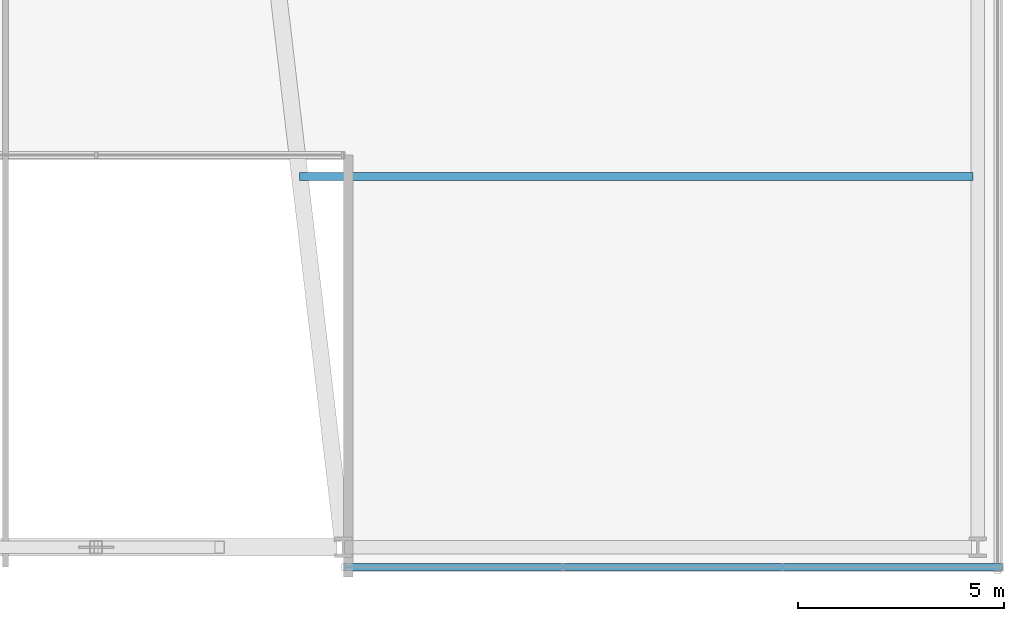
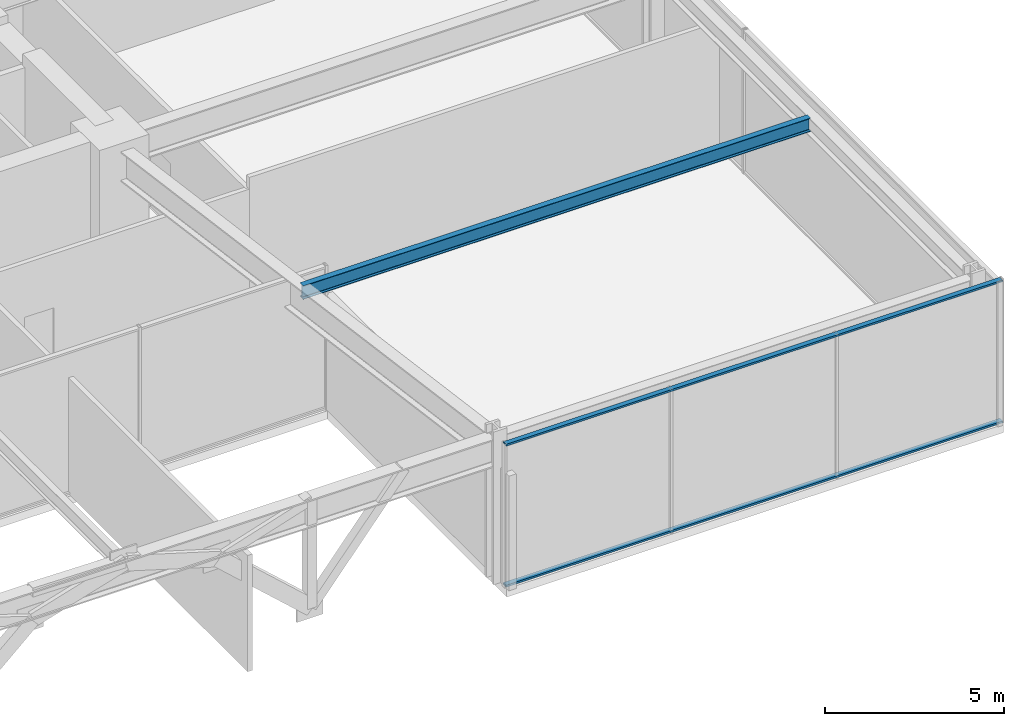
# One storey, part 21 of 49: 2 members, 1 beam, 1 element without a shape of its own.
"""IFC4 building model written with IfcOpenShell, lengths in metres."""

import ifcopenshell
import ifcopenshell.guid

model = None  # the IFC model being written
_history = None  # IfcOwnerHistory: only IFC2X3 demands one
_inside = {}  # id of a spatial element -> (the spatial element, [elements in it])
_under = {}  # id of a project, library or spatial element -> (it, [spatial elements below it])
_declared = {}  # id of a project -> (the project, [libraries it declares])
_typed = {}  # id of a type object -> (the type object, [elements of that type])
_made_of = {}  # id of a material, layer set ... -> (it, [elements and type objects made of it])


def new_model(schema):
    """Start an empty IFC model of exactly this schema.

    Asked for "IFC4X3", IfcOpenShell would pick the latest addendum, in which some entities
    have other attributes; the version numbers below select the first issue.
    IFC2X3 requires an IfcOwnerHistory on every rooted entity: one is made here for all.
    """
    global model, _history
    if schema == "IFC4X3":
        model = ifcopenshell.file(schema_version=(4, 3, 0, 0))
    else:
        model = ifcopenshell.file(schema=schema)
    _inside.clear()
    _under.clear()
    _declared.clear()
    _typed.clear()
    _made_of.clear()
    _history = None
    if model.schema == "IFC2X3":
        org = make("IfcOrganization", Name="unknown")
        user = make(
            "IfcPersonAndOrganization",
            ThePerson=make("IfcPerson", FamilyName="unknown"),
            TheOrganization=org,
        )
        app = make(
            "IfcApplication",
            ApplicationDeveloper=org,
            Version="unknown",
            ApplicationFullName="unknown",
            ApplicationIdentifier="unknown",
        )
        _history = make(
            "IfcOwnerHistory",
            OwningUser=user,
            OwningApplication=app,
            ChangeAction="ADDED",
            CreationDate=0,
        )
    return model


def make(cls, **values):
    """One entity of the class cls with the attributes given. An attribute that is None is left unset."""
    return model.create_entity(
        cls, **{name: value for name, value in values.items() if value is not None}
    )


def rooted(cls, **values):
    """An entity with a GlobalId (a new one), such as an element, a storey or a relation."""
    return make(cls, GlobalId=ifcopenshell.guid.new(), OwnerHistory=_history, **values)


def si_unit(unit_type, name, prefix=None):
    """IfcSIUnit, for example si_unit("LENGTHUNIT", "METRE", prefix="MILLI")."""
    return make("IfcSIUnit", UnitType=unit_type, Prefix=prefix, Name=name)


def assignment(units):
    """IfcUnitAssignment: the units of a project."""
    return None if units is None else make("IfcUnitAssignment", Units=units)


def point(xyz):
    """IfcCartesianPoint."""
    return None if xyz is None else make("IfcCartesianPoint", Coordinates=xyz)


def direction(xyz):
    """IfcDirection."""
    return None if xyz is None else make("IfcDirection", DirectionRatios=xyz)


def frame(location, z_axis=None, x_axis=None):
    """IfcAxis2Placement3D, a coordinate frame: its origin and axes. An axis left out is left unset."""
    return make(
        "IfcAxis2Placement3D",
        Location=point(location),
        Axis=direction(z_axis),
        RefDirection=direction(x_axis),
    )


def frame_2d(location, x_axis=None):
    """IfcAxis2Placement2D, a coordinate frame in the plane: its origin and x axis."""
    return make(
        "IfcAxis2Placement2D", Location=point(location), RefDirection=direction(x_axis)
    )


def origin():
    """The frame at (0, 0, 0) with its axes left unset."""
    return frame((0.0, 0.0, 0.0))


def origin_2d():
    """The frame at (0, 0) in the plane with its x axis left unset."""
    return frame_2d((0.0, 0.0))


def place(relative_to, where):
    """IfcLocalPlacement: puts the frame where relative to a parent placement (None: the world)."""
    return make(
        "IfcLocalPlacement", PlacementRelTo=relative_to, RelativePlacement=where
    )


def context(
    kind, dimensions, precision=None, world=None, true_north=None, identifier=None
):
    """IfcGeometricRepresentationContext, for example the 3D "Model" context."""
    return make(
        "IfcGeometricRepresentationContext",
        ContextIdentifier=identifier,
        ContextType=kind,
        CoordinateSpaceDimension=dimensions,
        Precision=precision,
        WorldCoordinateSystem=world,
        TrueNorth=true_north,
    )


def subcontext(parent, identifier, kind, view, scale=None):
    """IfcGeometricRepresentationSubContext, for example "Body" below "Model"."""
    return make(
        "IfcGeometricRepresentationSubContext",
        ContextIdentifier=identifier,
        ContextType=kind,
        ParentContext=parent,
        TargetScale=scale,
        TargetView=view,
    )


def project(units=None, contexts=None):
    """IfcProject with its units and contexts."""
    return rooted(
        "IfcProject",
        Name="project",
        RepresentationContexts=contexts,
        UnitsInContext=assignment(units),
    )


def spatial(cls, under=None, at=None, **own):
    """A site, building, storey or space (cls), placed at a placement, below another one or the project."""
    s = rooted(cls, ObjectPlacement=at, **own)
    if under is not None:
        _under.setdefault(under.id(), (under, []))[1].append(s)
    return s


def profile(cls, at=None, kind="AREA", **sizes):
    """A parametric profile (cls). Its sizes go by their IFC names, for example OverallWidth=200.0."""
    return make(cls, ProfileType=kind, Position=at, **sizes)


def hollow_rectangle(**sizes):
    """IfcRectangleHollowProfileDef."""
    return profile("IfcRectangleHollowProfileDef", **sizes)


def i_section(**sizes):
    """IfcIShapeProfileDef."""
    return profile("IfcIShapeProfileDef", **sizes)


def extrude(swept, where, along, depth):
    """IfcExtrudedAreaSolid: the profile swept, set in the frame where, extruded along a direction by depth."""
    return make(
        "IfcExtrudedAreaSolid",
        SweptArea=swept,
        Position=where,
        ExtrudedDirection=direction(along),
        Depth=depth,
    )


def shape(context_of_items, identifier, shape_type, items):
    """IfcShapeRepresentation: the items that make up one representation, for example the "Body"."""
    return make(
        "IfcShapeRepresentation",
        ContextOfItems=context_of_items,
        RepresentationIdentifier=identifier,
        RepresentationType=shape_type,
        Items=items,
    )


def material(Name=None, Category=None):
    """IfcMaterial."""
    return make("IfcMaterial", Name=Name, Category=Category)


def material_profile(
    of_material, cross_section, Name=None, Category=None, Priority=None
):
    """IfcMaterialProfile: a cross section and its material."""
    return make(
        "IfcMaterialProfile",
        Name=Name,
        Material=of_material,
        Profile=cross_section,
        Priority=Priority,
        Category=Category,
    )


def profile_set(profiles, Name=None, composite=None):
    """IfcMaterialProfileSet."""
    return make(
        "IfcMaterialProfileSet",
        Name=Name,
        MaterialProfiles=profiles,
        CompositeProfile=composite,
    )


def made_of(thing, what):
    """Note that an element or type object is made of a material, layer set ...; save() writes the relation."""
    if what is not None:
        _made_of.setdefault(what.id(), (what, []))[1].append(thing)
    return thing


def type_object(cls, material=None, **own):
    """A type object (cls), such as IfcWallType, which elements share."""
    return made_of(rooted(cls, **own), material)


def element(
    cls,
    number,
    at=None,
    inside=None,
    cuts=None,
    type_object=None,
    material=None,
    context=None,
    identifier="Body",
    shape_type=None,
    held_by="IfcProductDefinitionShape",
    body=None,
    shapes=None,
    **own,
):
    """One element of the class cls, such as IfcWall. Its Tag is "e" and its number.

    at: its placement. inside: the storey or other place that contains it. cuts: it is an
    opening in that element (IfcRelVoidsElement). A single representation is given by context,
    identifier, shape_type and body (its items); several are given by shapes. held_by: the class
    of the entity that holds the representations. save() writes the other relations.
    """
    e = rooted(cls, Tag="e%d" % number, ObjectPlacement=at, **own)
    if body is not None:
        shapes = [shape(context, identifier, shape_type, body)]
    if shapes is not None:
        e.Representation = make(held_by, Representations=shapes)
    if inside is not None:
        _inside.setdefault(inside.id(), (inside, []))[1].append(e)
    if cuts is not None:
        rooted(
            "IfcRelVoidsElement", RelatingBuildingElement=cuts, RelatedOpeningElement=e
        )
    if type_object is not None:
        _typed.setdefault(type_object.id(), (type_object, []))[1].append(e)
    return made_of(e, material)


def aggregate(whole, parts):
    """IfcRelAggregates: a whole, such as a stair, and the parts it consists of."""
    return rooted("IfcRelAggregates", RelatingObject=whole, RelatedObjects=parts)


def save(model, path):
    """Write the relations noted so far, then the file.

    IfcRelAggregates (storeys below a building ...), IfcRelContainedInSpatialStructure (elements
    in a storey), IfcRelDefinesByType, IfcRelAssociatesMaterial and IfcRelDeclares: one each for
    every whole, place, type object, material and project.
    """
    for whole, parts in _under.values():
        aggregate(whole, parts)
    for where, things in _inside.values():
        rooted(
            "IfcRelContainedInSpatialStructure",
            RelatedElements=things,
            RelatingStructure=where,
        )
    for kind, things in _typed.values():
        rooted("IfcRelDefinesByType", RelatedObjects=things, RelatingType=kind)
    for what, things in _made_of.values():
        rooted("IfcRelAssociatesMaterial", RelatedObjects=things, RelatingMaterial=what)
    for by, libraries in _declared.values():
        rooted("IfcRelDeclares", RelatingContext=by, RelatedDefinitions=libraries)
    model.write(path)


model = new_model("IFC4")

# Units and contexts
model_context = context("Model", 3, precision=1e-05, world=origin(), true_north=direction((0.0, 1.0)))
body_context = subcontext(model_context, "Body", "Model", "MODEL_VIEW")
ifc_project = project(units=[si_unit("LENGTHUNIT", "METRE"), si_unit("AREAUNIT", "SQUARE_METRE"), si_unit("VOLUMEUNIT", "CUBIC_METRE"), si_unit("PLANEANGLEUNIT", "RADIAN"), si_unit("MASSUNIT", "GRAM", prefix="KILO")], contexts=[model_context])

# Site, building, storey
site_placement = place(None, origin())
site = spatial("IfcSite", under=ifc_project, at=site_placement, CompositionType="ELEMENT")
building_placement = place(site_placement, origin())
building = spatial("IfcBuilding", under=site, at=building_placement, Name="Kolvaren Belvedere", CompositionType="ELEMENT")
storey_placement = place(building_placement, frame((0.0, 0.0, 10.0)))
storey = spatial("IfcBuildingStorey", under=building, at=storey_placement, Name="L03", CompositionType="ELEMENT", Elevation=10.0)

# Beam
ifc_material_1 = material(Name="Structural steel ASTM A992 Grade 50", Category="steel")
ifc_material_profile_1 = material_profile(ifc_material_1, i_section(OverallWidth=0.19091796875, OverallDepth=0.4599609375, WebThickness=0.010009765625, FlangeThickness=0.01611328125, FilletRadius=0.014892578125, at=origin_2d()), Name="W18X55")
ifc_profile_set_1 = profile_set([ifc_material_profile_1], Name="Structural steel ASTM A992 Grade 50")
beam_type = type_object("IfcBeamType", Name="BM-JOIST-W18X55", PredefinedType="BEAM", material=ifc_profile_set_1)
beam_placement = place(storey_placement, frame((10.93994140625, -18.800048828125, 4.68994140625), z_axis=(1.0, 0.0, 0.0), x_axis=(0.0, 1.0, 0.0)))
element("IfcBeam", 1, at=beam_placement, inside=storey, type_object=beam_type, Name="L03 East Bay Floor Beam", PredefinedType="BEAM", context=body_context, shape_type="SweptSolid", body=[
    extrude(i_section(OverallWidth=0.19091796875, OverallDepth=0.4599609375, WebThickness=0.010009765625, FlangeThickness=0.01611328125, FilletRadius=0.014892578125, at=origin_2d()), origin(), (0.0, 0.0, 1.0), 16.340087890625),
])

# Curtain wall, members
ifc_material_2 = material(Name="Anodised pale-metal aluminium AA 6063-T6", Category="aluminium")
curtain_wall_type = type_object("IfcCurtainWallType", Name="CW-POD-A", PredefinedType="NOTDEFINED", material=ifc_material_2)
curtain_wall_placement = place(storey_placement, origin())
curtain_wall = element("IfcCurtainWall", 2, at=curtain_wall_placement, inside=storey, type_object=curtain_wall_type, Name="L03 Unitised Curtain Wall FCW-L03-SEG5", PredefinedType="NOTDEFINED")
ifc_material_3 = material(Name="Anodised pale-metal aluminium AA 6063-T6", Category="aluminium")
ifc_material_profile_2 = material_profile(ifc_material_3, hollow_rectangle(XDim=0.06494140625, YDim=0.159912109375, WallThickness=0.00390625, at=origin_2d()), Name="ALU-TRN-160X65")
ifc_profile_set_2 = profile_set([ifc_material_profile_2], Name="Anodised pale-metal aluminium AA 6063-T6")
member_type = type_object("IfcMemberType", Name="CW-TRN-160", PredefinedType="USERDEFINED", material=ifc_profile_set_2)
member_1_placement = place(storey_placement, frame((28.0, -28.280029296875, 0.06005859375), z_axis=(-1.0, 0.0, 0.0), x_axis=(0.0, 0.0, 1.0)))
member_1 = element("IfcMember", 3, at=member_1_placement, type_object=member_type, Name="FCW-L03-SEG5 Sill Transom", ObjectType="TRANSOM", PredefinedType="USERDEFINED", context=body_context, shape_type="SweptSolid", body=[
    extrude(hollow_rectangle(XDim=0.06494140625, YDim=0.159912109375, WallThickness=0.00390625, at=origin_2d()), origin(), (0.0, 0.0, 1.0), 16.0),
])
member_2_placement = place(storey_placement, frame((28.0, -28.280029296875, 4.860107421875), z_axis=(-1.0, 0.0, 0.0), x_axis=(0.0, 0.0, 1.0)))
member_2 = element("IfcMember", 4, at=member_2_placement, type_object=member_type, Name="FCW-L03-SEG5 Head Transom", ObjectType="TRANSOM", PredefinedType="USERDEFINED", context=body_context, shape_type="SweptSolid", body=[
    extrude(hollow_rectangle(XDim=0.06494140625, YDim=0.159912109375, WallThickness=0.00390625, at=origin_2d()), origin(), (0.0, 0.0, 1.0), 16.0),
])
aggregate(curtain_wall, [member_1, member_2])

save(model, "model.ifc")
